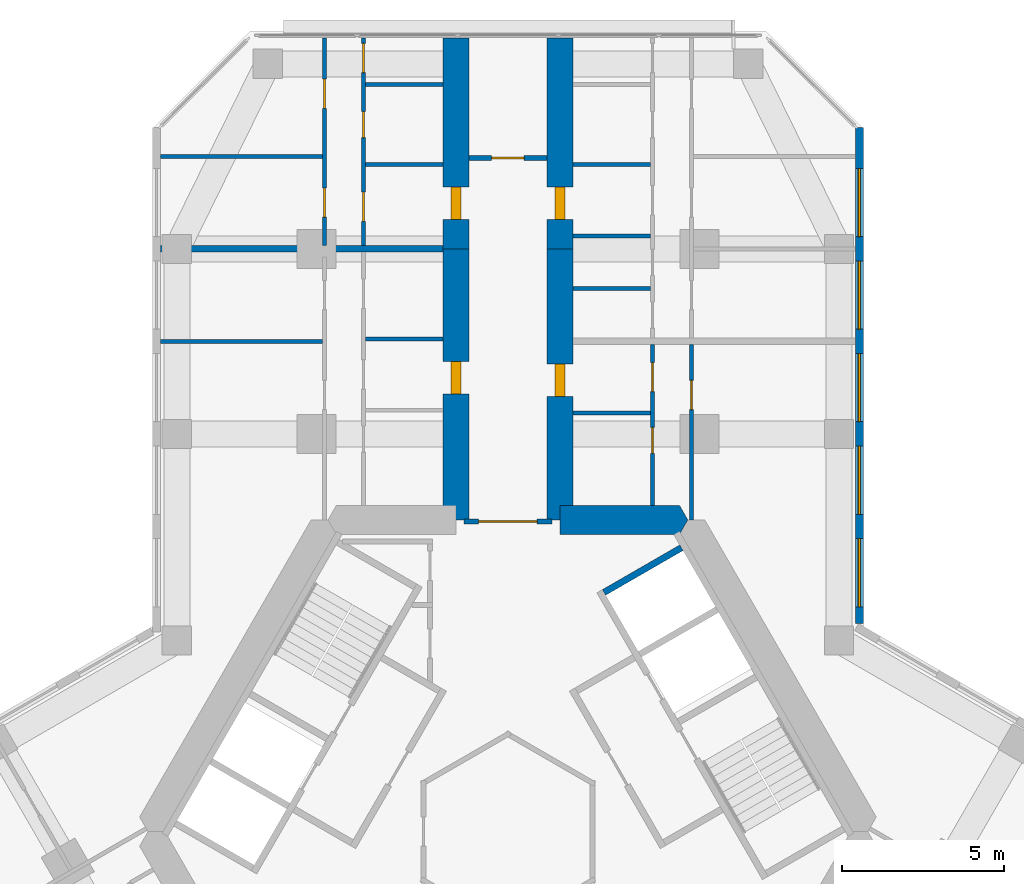
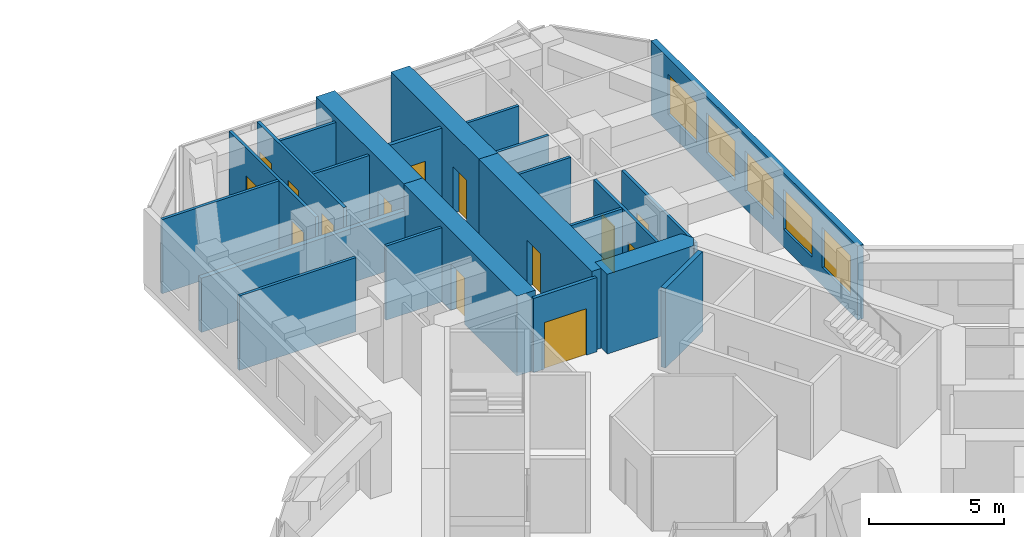
# One storey, part 17 of 19: 23 walls, 14 doors, 5 windows, 19 openings.
"""IFC4 building model written with IfcOpenShell, lengths in metres."""

from ifc_helpers import new_model, si_unit, direction, frame, frame_2d, origin, place, context, subcontext, project, spatial, polyline, rectangle, outline, extrude, material, layer, layer_set, type_object, element, fill, save


model = new_model("IFC4")

# Units and contexts
model_context = context("Model", 3, precision=1e-05, world=origin(), true_north=direction((0.0, 1.0)))
body_context = subcontext(model_context, "Body", "Model", "MODEL_VIEW")
ifc_project = project(units=[si_unit("LENGTHUNIT", "METRE"), si_unit("AREAUNIT", "SQUARE_METRE"), si_unit("VOLUMEUNIT", "CUBIC_METRE"), si_unit("PLANEANGLEUNIT", "RADIAN"), si_unit("MASSUNIT", "GRAM", prefix="KILO")], contexts=[model_context])

# Site, building, storey
site_placement = place(None, origin())
site = spatial("IfcSite", under=ifc_project, at=site_placement, CompositionType="ELEMENT")
building_placement = place(site_placement, origin())
building = spatial("IfcBuilding", under=site, at=building_placement, Name="Kosmar Iwan School Tower", CompositionType="ELEMENT")
storey_placement = place(building_placement, frame((0.0, 0.0, 141.800048828125)))
storey = spatial("IfcBuildingStorey", under=building, at=storey_placement, Name="L35", CompositionType="ELEMENT", Elevation=141.800048828125)

# Wall
ifc_material_1 = material(Name="Concrete C50/60", Category="concrete")
ifc_layer_1 = layer(ifc_material_1, 0.89990234375)
ifc_layer_set_1 = layer_set([ifc_layer_1], Name="Core wall 900")
wall_type_1 = type_object("IfcWallType", Name="Core wall 900", PredefinedType="SHEAR", material=ifc_layer_set_1)
wall_1_placement = place(storey_placement, origin())
element("IfcWall", 1, at=wall_1_placement, inside=storey, type_object=wall_type_1, Name="Core wall F090a", PredefinedType="SHEAR", context=body_context, shape_type="SweptSolid", body=[
    extrude(outline(polyline([(1.60009765625, 9.14990234375), (5.28271484375, 9.14990234375), (5.54248046875, 9.60009765625), (5.28271484375, 10.050048828125), (1.60009765625, 10.050048828125), (1.60009765625, 9.14990234375)])), origin(), (0.0, 0.0, 1.0), 3.599853515625),
])

# Wall, opening, door
ifc_material_2 = material(Name="Concrete C50/60", Category="concrete")
ifc_layer_2 = layer(ifc_material_2, 0.800048828125)
ifc_layer_set_2 = layer_set([ifc_layer_2], Name="Corridor buttress wall 800")
wall_type_2 = type_object("IfcWallType", Name="Corridor buttress wall 800", PredefinedType="SHEAR", material=ifc_layer_set_2)
wall_2_placement = place(storey_placement, frame((-1.60009765625, 9.60009765625, 0.0), z_axis=(0.0, 0.0, 1.0), x_axis=(0.0, 1.0, 0.0)))
wall_2 = element("IfcWall", 2, at=wall_2_placement, inside=storey, type_object=wall_type_2, Name="Corridor wall AL", PredefinedType="SHEAR", context=body_context, shape_type="SweptSolid", body=[
    extrude(rectangle(XDim=8.349853515625, YDim=0.800048828125, at=frame_2d((4.1748046875, 0.0))), origin(), (0.0, 0.0, 1.0), 3.599853515625),
])
opening_1_placement = place(wall_2_placement, frame((3.8798828125, 0.0, 0.0)))
opening_1 = element("IfcOpeningElement", 3, at=opening_1_placement, cuts=wall_2, Name="Opening D1", PredefinedType="OPENING", context=body_context, shape_type="SweptSolid", body=[
    extrude(rectangle(XDim=1.0, YDim=2.10009765625, at=frame_2d((0.5, 1.050048828125))), frame((0.0, 0.412109375, 0.0), z_axis=(0.0, -1.0, 0.0), x_axis=(1.0, 0.0, 0.0)), (0.0, 0.0, 1.0), 0.823974609375),
])
ifc_material_3 = material(Name="Timber fire door in steel frame", Category="steel")
door_type_1 = type_object("IfcDoorType", Name="Flat entrance door 1000x2100", OperationType="SINGLE_SWING_LEFT", PredefinedType="DOOR", material=ifc_material_3)
door_1_placement = place(opening_1_placement, origin())
door_1 = element("IfcDoor", 4, at=door_1_placement, inside=storey, type_object=door_type_1, Name="Flat L35-AL1 entrance door", OperationType="SINGLE_SWING_LEFT", OverallHeight=2.10009765625, OverallWidth=1.0, PredefinedType="DOOR", context=body_context, shape_type="SweptSolid", body=[
    extrude(rectangle(XDim=1.0, YDim=2.10009765625, at=frame_2d((0.5, 1.050048828125))), frame((0.0, 0.14990234375, 0.0), z_axis=(0.0, -1.0, 0.0), x_axis=(1.0, 0.0, 0.0)), (0.0, 0.0, 1.0), 0.300048828125),
])
fill(opening_1, door_1)

wall_3_placement = place(storey_placement, frame((-1.60009765625, 17.949951171875, 0.0), z_axis=(0.0, 0.0, 1.0), x_axis=(0.0, 1.0, 0.0)))
wall_3 = element("IfcWall", 5, at=wall_3_placement, inside=storey, type_object=wall_type_2, Name="Corridor wall AL bay 2", PredefinedType="SHEAR", context=body_context, shape_type="SweptSolid", body=[
    extrude(rectangle(XDim=6.4951171875, YDim=0.800048828125, at=frame_2d((3.24755859375, 0.0))), origin(), (0.0, 0.0, 1.0), 3.599853515625),
])
opening_2_placement = place(wall_3_placement, frame((0.89990234375, 0.0, 0.0)))
opening_2 = element("IfcOpeningElement", 6, at=opening_2_placement, cuts=wall_3, Name="Opening D1", PredefinedType="OPENING", context=body_context, shape_type="SweptSolid", body=[
    extrude(rectangle(XDim=1.0, YDim=2.10009765625, at=frame_2d((0.5, 1.050048828125))), frame((0.0, 0.412109375, 0.0), z_axis=(0.0, -1.0, 0.0), x_axis=(1.0, 0.0, 0.0)), (0.0, 0.0, 1.0), 0.823974609375),
])
door_2_placement = place(opening_2_placement, origin())
door_2 = element("IfcDoor", 7, at=door_2_placement, inside=storey, type_object=door_type_1, Name="Flat L35-AL2 entrance door", OperationType="SINGLE_SWING_RIGHT", OverallHeight=2.10009765625, OverallWidth=1.0, PredefinedType="DOOR", context=body_context, shape_type="SweptSolid", body=[
    extrude(rectangle(XDim=1.0, YDim=2.10009765625, at=frame_2d((0.5, 1.050048828125))), frame((0.0, 0.14990234375, 0.0), z_axis=(0.0, -1.0, 0.0), x_axis=(1.0, 0.0, 0.0)), (0.0, 0.0, 1.0), 0.300048828125),
])
fill(opening_2, door_2)

wall_4_placement = place(storey_placement, frame((1.60009765625, 9.60009765625, 0.0), z_axis=(0.0, 0.0, 1.0), x_axis=(0.0, 1.0, 0.0)))
wall_4 = element("IfcWall", 8, at=wall_4_placement, inside=storey, type_object=wall_type_2, Name="Corridor wall AR", PredefinedType="SHEAR", context=body_context, shape_type="SweptSolid", body=[
    extrude(rectangle(XDim=8.349853515625, YDim=0.800048828125, at=frame_2d((4.1748046875, 0.0))), origin(), (0.0, 0.0, 1.0), 3.599853515625),
])
opening_3_placement = place(wall_4_placement, frame((3.800048828125, 0.0, 0.0)))
opening_3 = element("IfcOpeningElement", 9, at=opening_3_placement, cuts=wall_4, Name="Opening D1", PredefinedType="OPENING", context=body_context, shape_type="SweptSolid", body=[
    extrude(rectangle(XDim=1.0, YDim=2.10009765625, at=frame_2d((0.5, 1.050048828125))), frame((0.0, 0.412109375, 0.0), z_axis=(0.0, -1.0, 0.0), x_axis=(1.0, 0.0, 0.0)), (0.0, 0.0, 1.0), 0.823974609375),
])
door_3_placement = place(opening_3_placement, origin())
door_3 = element("IfcDoor", 10, at=door_3_placement, inside=storey, type_object=door_type_1, Name="Flat L35-AR1 entrance door", OperationType="SINGLE_SWING_RIGHT", OverallHeight=2.10009765625, OverallWidth=1.0, PredefinedType="DOOR", context=body_context, shape_type="SweptSolid", body=[
    extrude(rectangle(XDim=1.0, YDim=2.10009765625, at=frame_2d((0.5, 1.050048828125))), frame((0.0, 0.14990234375, 0.0), z_axis=(0.0, -1.0, 0.0), x_axis=(1.0, 0.0, 0.0)), (0.0, 0.0, 1.0), 0.300048828125),
])
fill(opening_3, door_3)

wall_5_placement = place(storey_placement, frame((1.60009765625, 17.949951171875, 0.0), z_axis=(0.0, 0.0, 1.0), x_axis=(0.0, 1.0, 0.0)))
wall_5 = element("IfcWall", 11, at=wall_5_placement, inside=storey, type_object=wall_type_2, Name="Corridor wall AR bay 2", PredefinedType="SHEAR", context=body_context, shape_type="SweptSolid", body=[
    extrude(rectangle(XDim=6.4951171875, YDim=0.800048828125, at=frame_2d((3.24755859375, 0.0))), origin(), (0.0, 0.0, 1.0), 3.599853515625),
])
opening_4_placement = place(wall_5_placement, frame((0.89990234375, 0.0, 0.0)))
opening_4 = element("IfcOpeningElement", 12, at=opening_4_placement, cuts=wall_5, Name="Opening D1", PredefinedType="OPENING", context=body_context, shape_type="SweptSolid", body=[
    extrude(rectangle(XDim=1.0, YDim=2.10009765625, at=frame_2d((0.5, 1.050048828125))), frame((0.0, 0.412109375, 0.0), z_axis=(0.0, -1.0, 0.0), x_axis=(1.0, 0.0, 0.0)), (0.0, 0.0, 1.0), 0.823974609375),
])
door_4_placement = place(opening_4_placement, origin())
door_4 = element("IfcDoor", 13, at=door_4_placement, inside=storey, type_object=door_type_1, Name="Flat L35-AR2 entrance door", OperationType="SINGLE_SWING_RIGHT", OverallHeight=2.10009765625, OverallWidth=1.0, PredefinedType="DOOR", context=body_context, shape_type="SweptSolid", body=[
    extrude(rectangle(XDim=1.0, YDim=2.10009765625, at=frame_2d((0.5, 1.050048828125))), frame((0.0, 0.14990234375, 0.0), z_axis=(0.0, -1.0, 0.0), x_axis=(1.0, 0.0, 0.0)), (0.0, 0.0, 1.0), 0.300048828125),
])
fill(opening_4, door_4)

ifc_material_4 = material(Name="Gypsum board on steel studs, fire-rated", Category="steel")
ifc_layer_3 = layer(ifc_material_4, 0.14990234375)
ifc_layer_set_3 = layer_set([ifc_layer_3], Name="Corridor end wall 150")
wall_type_3 = type_object("IfcWallType", Name="Corridor end wall 150", PredefinedType="PARTITIONING", material=ifc_layer_set_3)
wall_6_placement = place(storey_placement, frame((1.199951171875, 20.75, 0.0), z_axis=(0.0, 0.0, 1.0), x_axis=(-1.0, 0.0, 0.0)))
wall_6 = element("IfcWall", 14, at=wall_6_placement, inside=storey, type_object=wall_type_3, Name="Partition L35-A-CE", PredefinedType="PARTITIONING", context=body_context, shape_type="SweptSolid", body=[
    extrude(rectangle(XDim=2.39990234375, YDim=0.14990234375, at=frame_2d((1.199951171875, 0.0))), origin(), (0.0, 0.0, 1.0), 3.349853515625),
])
opening_5_placement = place(wall_6_placement, frame((0.699951171875, 0.0, 0.0)))
opening_5 = element("IfcOpeningElement", 15, at=opening_5_placement, cuts=wall_6, Name="Opening D13", PredefinedType="OPENING", context=body_context, shape_type="SweptSolid", body=[
    extrude(rectangle(XDim=1.0, YDim=2.10009765625, at=frame_2d((0.5, 1.050048828125))), frame((0.0, 0.0869140625, 0.0), z_axis=(0.0, -1.0, 0.0), x_axis=(1.0, 0.0, 0.0)), (0.0, 0.0, 1.0), 0.173828125),
])
ifc_material_5 = material(Name="Timber fire door with vision panel", Category="wood")
door_type_2 = type_object("IfcDoorType", Name="Corridor end door 1000x2100", OperationType="SINGLE_SWING_LEFT", PredefinedType="DOOR", material=ifc_material_5)
door_5_placement = place(opening_5_placement, origin())
door_5 = element("IfcDoor", 16, at=door_5_placement, inside=storey, type_object=door_type_2, Name="Prayer room door L35-A", OperationType="SINGLE_SWING_LEFT", OverallHeight=2.10009765625, OverallWidth=1.0, PredefinedType="DOOR", context=body_context, shape_type="SweptSolid", body=[
    extrude(rectangle(XDim=1.0, YDim=2.10009765625, at=frame_2d((0.5, 1.050048828125))), frame((0.0, 0.02490234375, 0.0), z_axis=(0.0, -1.0, 0.0), x_axis=(1.0, 0.0, 0.0)), (0.0, 0.0, 1.0), 0.050048828125),
])
fill(opening_5, door_5)

ifc_material_6 = material(Name="Steel framed glazed screen", Category="steel")
ifc_layer_4 = layer(ifc_material_6, 0.14990234375)
ifc_layer_set_4 = layer_set([ifc_layer_4], Name="Corridor screen wall 150")
wall_type_4 = type_object("IfcWallType", Name="Corridor screen wall 150", PredefinedType="PARTITIONING", material=ifc_layer_set_4)
wall_7_placement = place(storey_placement, frame((1.35009765625, 9.550048828125, 0.0), z_axis=(0.0, 0.0, 1.0), x_axis=(-1.0, 0.0, 0.0)))
wall_7 = element("IfcWall", 17, at=wall_7_placement, inside=storey, type_object=wall_type_4, Name="Corridor screen A L35", PredefinedType="PARTITIONING", context=body_context, shape_type="SweptSolid", body=[
    extrude(rectangle(XDim=2.7001953125, YDim=0.14990234375, at=frame_2d((1.35009765625, 0.0))), origin(), (0.0, 0.0, 1.0), 3.349853515625),
])
opening_6_placement = place(wall_7_placement, frame((0.449951171875, 0.0, 0.0)))
opening_6 = element("IfcOpeningElement", 18, at=opening_6_placement, cuts=wall_7, Name="Opening D9", PredefinedType="OPENING", context=body_context, shape_type="SweptSolid", body=[
    extrude(rectangle(XDim=1.800048828125, YDim=2.10009765625, at=frame_2d((0.89990234375, 1.050048828125))), frame((0.0, 0.0869140625, 0.0), z_axis=(0.0, -1.0, 0.0), x_axis=(1.0, 0.0, 0.0)), (0.0, 0.0, 1.0), 0.173828125),
])
ifc_material_7 = material(Name="Steel framed glazed smoke door", Category="steel")
door_type_3 = type_object("IfcDoorType", Name="Corridor smoke door pair 1800x2100", OperationType="DOUBLE_DOOR_DOUBLE_SWING", PredefinedType="DOOR", material=ifc_material_7)
door_6_placement = place(opening_6_placement, origin())
door_6 = element("IfcDoor", 19, at=door_6_placement, inside=storey, type_object=door_type_3, Name="Corridor doors A L35", OperationType="DOUBLE_DOOR_DOUBLE_SWING", OverallHeight=2.10009765625, OverallWidth=1.800048828125, PredefinedType="DOOR", context=body_context, shape_type="SweptSolid", body=[
    extrude(rectangle(XDim=1.800048828125, YDim=2.10009765625, at=frame_2d((0.89990234375, 1.050048828125))), frame((0.0, 0.02490234375, 0.0), z_axis=(0.0, -1.0, 0.0), x_axis=(1.0, 0.0, 0.0)), (0.0, 0.0, 1.0), 0.050048828125),
])
fill(opening_6, door_6)

# Walls
ifc_material_8 = material(Name="Gypsum board on steel studs", Category="steel")
ifc_layer_5 = layer(ifc_material_8, 0.1201171875)
ifc_layer_set_5 = layer_set([ifc_layer_5], Name="Dwelling partition 120")
wall_type_5 = type_object("IfcWallType", Name="Dwelling partition 120", PredefinedType="PARTITIONING", material=ifc_layer_set_5)
wall_8_placement = place(storey_placement, frame((-5.7099609375, 15.10009765625, 0.0), z_axis=(0.0, 0.0, 1.0), x_axis=(-1.0, 0.0, 0.0)))
element("IfcWall", 20, at=wall_8_placement, inside=storey, type_object=wall_type_5, Name="Partition L35-AL1-X1", PredefinedType="PARTITIONING", context=body_context, shape_type="SweptSolid", body=[
    extrude(rectangle(XDim=4.989990234375, YDim=0.1201171875, at=frame_2d((2.4951171875, 0.0))), origin(), (0.0, 0.0, 1.0), 3.349853515625),
])
wall_9_placement = place(storey_placement, frame((-2.0, 15.179931640625, 0.0), z_axis=(0.0, 0.0, 1.0), x_axis=(-1.0, 0.0, 0.0)))
element("IfcWall", 21, at=wall_9_placement, inside=storey, type_object=wall_type_5, Name="Partition L35-AL1-Y2", PredefinedType="PARTITIONING", context=body_context, shape_type="SweptSolid", body=[
    extrude(rectangle(XDim=2.389892578125, YDim=0.1201171875, at=frame_2d((1.19482421875, 0.0))), origin(), (0.0, 0.0, 1.0), 3.349853515625),
])

# Wall, openings, doors
wall_10_placement = place(storey_placement, frame((-4.449951171875, 18.050048828125, 0.0), z_axis=(0.0, 0.0, 1.0), x_axis=(0.0, 1.0, 0.0)))
wall_10 = element("IfcWall", 22, at=wall_10_placement, inside=storey, type_object=wall_type_5, Name="Partition L35-AL2-W1", PredefinedType="PARTITIONING", context=body_context, shape_type="SweptSolid", body=[
    extrude(rectangle(XDim=6.39501953125, YDim=0.1201171875, at=frame_2d((3.197509765625, 0.0))), origin(), (0.0, 0.0, 1.0), 3.349853515625),
])
opening_7_placement = place(wall_10_placement, frame((0.75, 0.0, 0.0)))
opening_7 = element("IfcOpeningElement", 23, at=opening_7_placement, cuts=wall_10, Name="Opening D2", PredefinedType="OPENING", context=body_context, shape_type="SweptSolid", body=[
    extrude(rectangle(XDim=0.89990234375, YDim=2.10009765625, at=frame_2d((0.449951171875, 1.050048828125))), frame((0.0, 0.072021484375, 0.0), z_axis=(0.0, -1.0, 0.0), x_axis=(1.0, 0.0, 0.0)), (0.0, 0.0, 1.0), 0.14404296875),
])
opening_8_placement = place(wall_10_placement, frame((3.330078125, 0.0, 0.0)))
opening_8 = element("IfcOpeningElement", 24, at=opening_8_placement, cuts=wall_10, Name="Opening D3", PredefinedType="OPENING", context=body_context, shape_type="SweptSolid", body=[
    extrude(rectangle(XDim=0.800048828125, YDim=2.10009765625, at=frame_2d((0.39990234375, 1.050048828125))), frame((0.0, 0.072021484375, 0.0), z_axis=(0.0, -1.0, 0.0), x_axis=(1.0, 0.0, 0.0)), (0.0, 0.0, 1.0), 0.14404296875),
])
opening_9_placement = place(wall_10_placement, frame((5.330078125, 0.0, 0.0)))
opening_9 = element("IfcOpeningElement", 25, at=opening_9_placement, cuts=wall_10, Name="Opening D2", PredefinedType="OPENING", context=body_context, shape_type="SweptSolid", body=[
    extrude(rectangle(XDim=0.89990234375, YDim=2.10009765625, at=frame_2d((0.449951171875, 1.050048828125))), frame((0.0, 0.072021484375, 0.0), z_axis=(0.0, -1.0, 0.0), x_axis=(1.0, 0.0, 0.0)), (0.0, 0.0, 1.0), 0.14404296875),
])
ifc_material_9 = material(Name="Timber door in timber frame", Category="wood")
door_type_4 = type_object("IfcDoorType", Name="Internal door 900x2100", OperationType="SINGLE_SWING_LEFT", PredefinedType="DOOR", material=ifc_material_9)
door_7_placement = place(opening_7_placement, origin())
door_7 = element("IfcDoor", 26, at=door_7_placement, inside=storey, type_object=door_type_4, Name="Entrance hall door L35-AL2-S1", OperationType="SINGLE_SWING_LEFT", OverallHeight=2.10009765625, OverallWidth=0.89990234375, PredefinedType="DOOR", context=body_context, shape_type="SweptSolid", body=[
    extrude(rectangle(XDim=0.89990234375, YDim=2.10009765625, at=frame_2d((0.449951171875, 1.050048828125))), frame((0.0, 0.02490234375, 0.0), z_axis=(0.0, -1.0, 0.0), x_axis=(1.0, 0.0, 0.0)), (0.0, 0.0, 1.0), 0.050048828125),
])
fill(opening_7, door_7)
door_8_placement = place(opening_9_placement, origin())
door_8 = element("IfcDoor", 27, at=door_8_placement, inside=storey, type_object=door_type_4, Name="Pantry door L35-AL2-S3", OperationType="SINGLE_SWING_RIGHT", OverallHeight=2.10009765625, OverallWidth=0.89990234375, PredefinedType="DOOR", context=body_context, shape_type="SweptSolid", body=[
    extrude(rectangle(XDim=0.89990234375, YDim=2.10009765625, at=frame_2d((0.449951171875, 1.050048828125))), frame((0.0, 0.02490234375, 0.0), z_axis=(0.0, -1.0, 0.0), x_axis=(1.0, 0.0, 0.0)), (0.0, 0.0, 1.0), 0.050048828125),
])
fill(opening_9, door_8)
ifc_material_10 = material(Name="Timber door in timber frame", Category="wood")
door_type_5 = type_object("IfcDoorType", Name="Sanitary room door 800x2100", OperationType="SINGLE_SWING_LEFT", PredefinedType="DOOR", material=ifc_material_10)
door_9_placement = place(opening_8_placement, origin())
door_9 = element("IfcDoor", 28, at=door_9_placement, inside=storey, type_object=door_type_5, Name="Bathroom door L35-AL2-S2", OperationType="SINGLE_SWING_RIGHT", OverallHeight=2.10009765625, OverallWidth=0.800048828125, PredefinedType="DOOR", context=body_context, shape_type="SweptSolid", body=[
    extrude(rectangle(XDim=0.800048828125, YDim=2.10009765625, at=frame_2d((0.39990234375, 1.050048828125))), frame((0.0, 0.02490234375, 0.0), z_axis=(0.0, -1.0, 0.0), x_axis=(1.0, 0.0, 0.0)), (0.0, 0.0, 1.0), 0.050048828125),
])
fill(opening_8, door_9)

wall_11_placement = place(storey_placement, frame((-5.64990234375, 18.050048828125, 0.0), z_axis=(0.0, 0.0, 1.0), x_axis=(0.0, 1.0, 0.0)))
wall_11 = element("IfcWall", 29, at=wall_11_placement, inside=storey, type_object=wall_type_5, Name="Partition L35-AL2-W2", PredefinedType="PARTITIONING", context=body_context, shape_type="SweptSolid", body=[
    extrude(rectangle(XDim=6.39501953125, YDim=0.1201171875, at=frame_2d((3.197509765625, 0.0))), origin(), (0.0, 0.0, 1.0), 3.349853515625),
])
opening_10_placement = place(wall_11_placement, frame((0.875, 0.0, 0.0)))
opening_10 = element("IfcOpeningElement", 30, at=opening_10_placement, cuts=wall_11, Name="Opening D2", PredefinedType="OPENING", context=body_context, shape_type="SweptSolid", body=[
    extrude(rectangle(XDim=0.89990234375, YDim=2.10009765625, at=frame_2d((0.449951171875, 1.050048828125))), frame((0.0, 0.072021484375, 0.0), z_axis=(0.0, -1.0, 0.0), x_axis=(1.0, 0.0, 0.0)), (0.0, 0.0, 1.0), 0.14404296875),
])
opening_11_placement = place(wall_11_placement, frame((4.22509765625, 0.0, 0.0)))
opening_11 = element("IfcOpeningElement", 31, at=opening_11_placement, cuts=wall_11, Name="Opening D2", PredefinedType="OPENING", context=body_context, shape_type="SweptSolid", body=[
    extrude(rectangle(XDim=0.89990234375, YDim=2.10009765625, at=frame_2d((0.449951171875, 1.050048828125))), frame((0.0, 0.072021484375, 0.0), z_axis=(0.0, -1.0, 0.0), x_axis=(1.0, 0.0, 0.0)), (0.0, 0.0, 1.0), 0.14404296875),
])
door_10_placement = place(opening_10_placement, origin())
door_10 = element("IfcDoor", 32, at=door_10_placement, inside=storey, type_object=door_type_4, Name="Family room and kitchen door L35-AL2-F1", OperationType="SINGLE_SWING_RIGHT", OverallHeight=2.10009765625, OverallWidth=0.89990234375, PredefinedType="DOOR", context=body_context, shape_type="SweptSolid", body=[
    extrude(rectangle(XDim=0.89990234375, YDim=2.10009765625, at=frame_2d((0.449951171875, 1.050048828125))), frame((0.0, 0.02490234375, 0.0), z_axis=(0.0, -1.0, 0.0), x_axis=(1.0, 0.0, 0.0)), (0.0, 0.0, 1.0), 0.050048828125),
])
fill(opening_10, door_10)
door_11_placement = place(opening_11_placement, origin())
door_11 = element("IfcDoor", 33, at=door_11_placement, inside=storey, type_object=door_type_4, Name="Bedroom 1 door L35-AL2-F2", OperationType="SINGLE_SWING_RIGHT", OverallHeight=2.10009765625, OverallWidth=0.89990234375, PredefinedType="DOOR", context=body_context, shape_type="SweptSolid", body=[
    extrude(rectangle(XDim=0.89990234375, YDim=2.10009765625, at=frame_2d((0.449951171875, 1.050048828125))), frame((0.0, 0.02490234375, 0.0), z_axis=(0.0, -1.0, 0.0), x_axis=(1.0, 0.0, 0.0)), (0.0, 0.0, 1.0), 0.050048828125),
])
fill(opening_11, door_11)

# Walls
wall_12_placement = place(storey_placement, frame((-5.7099609375, 20.800048828125, 0.0), z_axis=(0.0, 0.0, 1.0), x_axis=(-1.0, 0.0, 0.0)))
element("IfcWall", 34, at=wall_12_placement, inside=storey, type_object=wall_type_5, Name="Partition L35-AL2-X1", PredefinedType="PARTITIONING", context=body_context, shape_type="SweptSolid", body=[
    extrude(rectangle(XDim=4.989990234375, YDim=0.1201171875, at=frame_2d((2.4951171875, 0.0))), origin(), (0.0, 0.0, 1.0), 3.349853515625),
])
for number, where, z_axis, x_axis, name in (
    (35, (-2.0, 20.550048828125, 0.0), (0.0, 0.0, 1.0), (-1.0, 0.0, 0.0), "Partition L35-AL2-Y1"),
    (36, (-2.0, 23.010009765625, 0.0), (0.0, 0.0, 1.0), (-1.0, 0.0, 0.0), "Partition L35-AL2-Y2"),
):
    element("IfcWall", number, at=place(storey_placement, frame(where, z_axis=z_axis, x_axis=x_axis)), inside=storey, type_object=wall_type_5, Name=name, PredefinedType="PARTITIONING", context=body_context, shape_type="SweptSolid", body=[
        extrude(rectangle(XDim=2.389892578125, YDim=0.1201171875, at=frame_2d((1.19482421875, 0.0))), origin(), (0.0, 0.0, 1.0), 3.349853515625),
    ])

# Wall, openings, doors
wall_13_placement = place(storey_placement, frame((4.449951171875, 10.050048828125, 0.0), z_axis=(0.0, 0.0, 1.0), x_axis=(0.0, 1.0, 0.0)))
wall_13 = element("IfcWall", 37, at=wall_13_placement, inside=storey, type_object=wall_type_5, Name="Partition L35-AR1-W1", PredefinedType="PARTITIONING", context=body_context, shape_type="SweptSolid", body=[
    extrude(rectangle(XDim=4.949951171875, YDim=0.1201171875, at=frame_2d((2.47509765625, 0.0))), origin(), (0.0, 0.0, 1.0), 3.349853515625),
])
opening_12_placement = place(wall_13_placement, frame((1.60009765625, 0.0, 0.0)))
opening_12 = element("IfcOpeningElement", 38, at=opening_12_placement, cuts=wall_13, Name="Opening D3", PredefinedType="OPENING", context=body_context, shape_type="SweptSolid", body=[
    extrude(rectangle(XDim=0.800048828125, YDim=2.10009765625, at=frame_2d((0.39990234375, 1.050048828125))), frame((0.0, 0.072021484375, 0.0), z_axis=(0.0, -1.0, 0.0), x_axis=(1.0, 0.0, 0.0)), (0.0, 0.0, 1.0), 0.14404296875),
])
opening_13_placement = place(wall_13_placement, frame((3.5, 0.0, 0.0)))
opening_13 = element("IfcOpeningElement", 39, at=opening_13_placement, cuts=wall_13, Name="Opening D2", PredefinedType="OPENING", context=body_context, shape_type="SweptSolid", body=[
    extrude(rectangle(XDim=0.89990234375, YDim=2.10009765625, at=frame_2d((0.449951171875, 1.050048828125))), frame((0.0, 0.072021484375, 0.0), z_axis=(0.0, -1.0, 0.0), x_axis=(1.0, 0.0, 0.0)), (0.0, 0.0, 1.0), 0.14404296875),
])
door_12_placement = place(opening_13_placement, origin())
door_12 = element("IfcDoor", 40, at=door_12_placement, inside=storey, type_object=door_type_4, Name="Entrance hall door L35-AR1-S2", OperationType="SINGLE_SWING_RIGHT", OverallHeight=2.10009765625, OverallWidth=0.89990234375, PredefinedType="DOOR", context=body_context, shape_type="SweptSolid", body=[
    extrude(rectangle(XDim=0.89990234375, YDim=2.10009765625, at=frame_2d((0.449951171875, 1.050048828125))), frame((0.0, 0.02490234375, 0.0), z_axis=(0.0, -1.0, 0.0), x_axis=(1.0, 0.0, 0.0)), (0.0, 0.0, 1.0), 0.050048828125),
])
fill(opening_13, door_12)
door_13_placement = place(opening_12_placement, origin())
door_13 = element("IfcDoor", 41, at=door_13_placement, inside=storey, type_object=door_type_5, Name="Bathroom door L35-AR1-S1", OperationType="SINGLE_SWING_RIGHT", OverallHeight=2.10009765625, OverallWidth=0.800048828125, PredefinedType="DOOR", context=body_context, shape_type="SweptSolid", body=[
    extrude(rectangle(XDim=0.800048828125, YDim=2.10009765625, at=frame_2d((0.39990234375, 1.050048828125))), frame((0.0, 0.02490234375, 0.0), z_axis=(0.0, -1.0, 0.0), x_axis=(1.0, 0.0, 0.0)), (0.0, 0.0, 1.0), 0.050048828125),
])
fill(opening_12, door_13)

# Wall, opening, door
wall_14_placement = place(storey_placement, frame((5.64990234375, 9.60009765625, 0.0), z_axis=(0.0, 0.0, 1.0), x_axis=(0.0, 1.0, 0.0)))
wall_14 = element("IfcWall", 42, at=wall_14_placement, inside=storey, type_object=wall_type_5, Name="Partition L35-AR1-W2", PredefinedType="PARTITIONING", context=body_context, shape_type="SweptSolid", body=[
    extrude(rectangle(XDim=5.39990234375, YDim=0.1201171875, at=frame_2d((2.699951171875, 0.0))), origin(), (0.0, 0.0, 1.0), 3.349853515625),
])
opening_14_placement = place(wall_14_placement, frame((3.39990234375, 0.0, 0.0)))
opening_14 = element("IfcOpeningElement", 43, at=opening_14_placement, cuts=wall_14, Name="Opening D2", PredefinedType="OPENING", context=body_context, shape_type="SweptSolid", body=[
    extrude(rectangle(XDim=0.89990234375, YDim=2.10009765625, at=frame_2d((0.449951171875, 1.050048828125))), frame((0.0, 0.072021484375, 0.0), z_axis=(0.0, -1.0, 0.0), x_axis=(1.0, 0.0, 0.0)), (0.0, 0.0, 1.0), 0.14404296875),
])
door_14_placement = place(opening_14_placement, origin())
door_14 = element("IfcDoor", 44, at=door_14_placement, inside=storey, type_object=door_type_4, Name="Studio living room and kitchen door L35-AR1-F1", OperationType="SINGLE_SWING_RIGHT", OverallHeight=2.10009765625, OverallWidth=0.89990234375, PredefinedType="DOOR", context=body_context, shape_type="SweptSolid", body=[
    extrude(rectangle(XDim=0.89990234375, YDim=2.10009765625, at=frame_2d((0.449951171875, 1.050048828125))), frame((0.0, 0.02490234375, 0.0), z_axis=(0.0, -1.0, 0.0), x_axis=(1.0, 0.0, 0.0)), (0.0, 0.0, 1.0), 0.050048828125),
])
fill(opening_14, door_14)

# Walls
for number, where, z_axis, x_axis, name in (
    (45, (2.0, 12.89990234375, 0.0), (0.0, 0.0, 1.0), (1.0, 0.0, 0.0), "Partition L35-AR1-Y1"),
    (46, (2.0, 16.72509765625, 0.0), (0.0, 0.0, 1.0), (1.0, 0.0, 0.0), "Partition L35-AR2-Y1"),
    (47, (2.0, 18.35009765625, 0.0), (0.0, 0.0, 1.0), (1.0, 0.0, 0.0), "Partition L35-AR2-Y2"),
    (48, (2.0, 20.550048828125, 0.0), (0.0, 0.0, 1.0), (1.0, 0.0, 0.0), "Partition L35-AR2-Y3"),
):
    element("IfcWall", number, at=place(storey_placement, frame(where, z_axis=z_axis, x_axis=x_axis)), inside=storey, type_object=wall_type_5, Name=name, PredefinedType="PARTITIONING", context=body_context, shape_type="SweptSolid", body=[
        extrude(rectangle(XDim=2.389892578125, YDim=0.1201171875, at=frame_2d((1.19482421875, 0.0))), origin(), (0.0, 0.0, 1.0), 3.349853515625),
    ])

# Wall, openings, windows
ifc_material_11 = material(Name="Black aluminium rainscreen on insulated framing", Category="aluminium")
ifc_layer_6 = layer(ifc_material_11, 0.25)
ifc_layer_set_6 = layer_set([ifc_layer_6], Name="External wall rainscreen 250")
wall_type_6 = type_object("IfcWallType", Name="External wall rainscreen 250", PredefinedType="SOLIDWALL", material=ifc_layer_set_6)
wall_15_placement = place(storey_placement, frame((10.824951171875, 6.408935546875, 0.0), z_axis=(0.0, 0.0, 1.0), x_axis=(0.0, 1.0, 0.0)))
wall_15 = element("IfcWall", 49, at=wall_15_placement, inside=storey, type_object=wall_type_6, Name="External wall AR L35", PredefinedType="SOLIDWALL", context=body_context, shape_type="SweptSolid", body=[
    extrude(rectangle(XDim=15.2763671875, YDim=0.25, at=frame_2d((7.63818359375, 0.0))), origin(), (0.0, 0.0, 1.0), 3.349853515625),
])
opening_15_placement = place(wall_15_placement, frame((0.51611328125, 0.0, 0.800048828125)))
opening_15 = element("IfcOpeningElement", 50, at=opening_15_placement, cuts=wall_15, Name="Opening W4", PredefinedType="OPENING", context=body_context, shape_type="SweptSolid", body=[
    extrude(rectangle(XDim=2.10009765625, YDim=1.800048828125, at=frame_2d((1.050048828125, 0.89990234375))), frame((0.0, 0.136962890625, 0.0), z_axis=(0.0, -1.0, 0.0), x_axis=(1.0, 0.0, 0.0)), (0.0, 0.0, 1.0), 0.27392578125),
])
opening_16_placement = place(wall_15_placement, frame((3.365966796875, 0.0, 0.800048828125)))
opening_16 = element("IfcOpeningElement", 51, at=opening_16_placement, cuts=wall_15, Name="Opening W4", PredefinedType="OPENING", context=body_context, shape_type="SweptSolid", body=[
    extrude(rectangle(XDim=2.10009765625, YDim=1.800048828125, at=frame_2d((1.050048828125, 0.89990234375))), frame((0.0, 0.136962890625, 0.0), z_axis=(0.0, -1.0, 0.0), x_axis=(1.0, 0.0, 0.0)), (0.0, 0.0, 1.0), 0.27392578125),
])
opening_17_placement = place(wall_15_placement, frame((6.216064453125, 0.0, 0.800048828125)))
opening_17 = element("IfcOpeningElement", 52, at=opening_17_placement, cuts=wall_15, Name="Opening W4", PredefinedType="OPENING", context=body_context, shape_type="SweptSolid", body=[
    extrude(rectangle(XDim=2.10009765625, YDim=1.800048828125, at=frame_2d((1.050048828125, 0.89990234375))), frame((0.0, 0.136962890625, 0.0), z_axis=(0.0, -1.0, 0.0), x_axis=(1.0, 0.0, 0.0)), (0.0, 0.0, 1.0), 0.27392578125),
])
opening_18_placement = place(wall_15_placement, frame((9.06591796875, 0.0, 0.800048828125)))
opening_18 = element("IfcOpeningElement", 53, at=opening_18_placement, cuts=wall_15, Name="Opening W4", PredefinedType="OPENING", context=body_context, shape_type="SweptSolid", body=[
    extrude(rectangle(XDim=2.10009765625, YDim=1.800048828125, at=frame_2d((1.050048828125, 0.89990234375))), frame((0.0, 0.136962890625, 0.0), z_axis=(0.0, -1.0, 0.0), x_axis=(1.0, 0.0, 0.0)), (0.0, 0.0, 1.0), 0.27392578125),
])
opening_19_placement = place(wall_15_placement, frame((11.916015625, 0.0, 0.800048828125)))
opening_19 = element("IfcOpeningElement", 54, at=opening_19_placement, cuts=wall_15, Name="Opening W4", PredefinedType="OPENING", context=body_context, shape_type="SweptSolid", body=[
    extrude(rectangle(XDim=2.10009765625, YDim=1.800048828125, at=frame_2d((1.050048828125, 0.89990234375))), frame((0.0, 0.136962890625, 0.0), z_axis=(0.0, -1.0, 0.0), x_axis=(1.0, 0.0, 0.0)), (0.0, 0.0, 1.0), 0.27392578125),
])
ifc_material_12 = material(Name="Black aluminium frame with dark triple glazing", Category="aluminium")
window_type = type_object("IfcWindowType", Name="Window 2100x1800", PartitioningType="SINGLE_PANEL", PredefinedType="WINDOW", material=ifc_material_12)
window_1_placement = place(opening_15_placement, origin())
window_1 = element("IfcWindow", 55, at=window_1_placement, inside=storey, type_object=window_type, Name="Window AR L35 -1", OverallHeight=1.800048828125, OverallWidth=2.10009765625, PartitioningType="SINGLE_PANEL", PredefinedType="WINDOW", context=body_context, shape_type="SweptSolid", body=[
    extrude(rectangle(XDim=2.10009765625, YDim=1.800048828125, at=frame_2d((1.050048828125, 0.89990234375))), frame((0.0, 0.030029296875, 0.0), z_axis=(0.0, -1.0, 0.0), x_axis=(1.0, 0.0, 0.0)), (0.0, 0.0, 1.0), 0.06005859375),
])
fill(opening_15, window_1)
window_2_placement = place(opening_16_placement, origin())
window_2 = element("IfcWindow", 56, at=window_2_placement, inside=storey, type_object=window_type, Name="Window AR L35 0", OverallHeight=1.800048828125, OverallWidth=2.10009765625, PartitioningType="SINGLE_PANEL", PredefinedType="WINDOW", context=body_context, shape_type="SweptSolid", body=[
    extrude(rectangle(XDim=2.10009765625, YDim=1.800048828125, at=frame_2d((1.050048828125, 0.89990234375))), frame((0.0, 0.030029296875, 0.0), z_axis=(0.0, -1.0, 0.0), x_axis=(1.0, 0.0, 0.0)), (0.0, 0.0, 1.0), 0.06005859375),
])
fill(opening_16, window_2)
window_3_placement = place(opening_17_placement, origin())
window_3 = element("IfcWindow", 57, at=window_3_placement, inside=storey, type_object=window_type, Name="Window AR L35 1", OverallHeight=1.800048828125, OverallWidth=2.10009765625, PartitioningType="SINGLE_PANEL", PredefinedType="WINDOW", context=body_context, shape_type="SweptSolid", body=[
    extrude(rectangle(XDim=2.10009765625, YDim=1.800048828125, at=frame_2d((1.050048828125, 0.89990234375))), frame((0.0, 0.030029296875, 0.0), z_axis=(0.0, -1.0, 0.0), x_axis=(1.0, 0.0, 0.0)), (0.0, 0.0, 1.0), 0.06005859375),
])
fill(opening_17, window_3)
window_4_placement = place(opening_18_placement, origin())
window_4 = element("IfcWindow", 58, at=window_4_placement, inside=storey, type_object=window_type, Name="Window AR L35 2", OverallHeight=1.800048828125, OverallWidth=2.10009765625, PartitioningType="SINGLE_PANEL", PredefinedType="WINDOW", context=body_context, shape_type="SweptSolid", body=[
    extrude(rectangle(XDim=2.10009765625, YDim=1.800048828125, at=frame_2d((1.050048828125, 0.89990234375))), frame((0.0, 0.030029296875, 0.0), z_axis=(0.0, -1.0, 0.0), x_axis=(1.0, 0.0, 0.0)), (0.0, 0.0, 1.0), 0.06005859375),
])
fill(opening_18, window_4)
window_5_placement = place(opening_19_placement, origin())
window_5 = element("IfcWindow", 59, at=window_5_placement, inside=storey, type_object=window_type, Name="Window AR L35 3", OverallHeight=1.800048828125, OverallWidth=2.10009765625, PartitioningType="SINGLE_PANEL", PredefinedType="WINDOW", context=body_context, shape_type="SweptSolid", body=[
    extrude(rectangle(XDim=2.10009765625, YDim=1.800048828125, at=frame_2d((1.050048828125, 0.89990234375))), frame((0.0, 0.030029296875, 0.0), z_axis=(0.0, -1.0, 0.0), x_axis=(1.0, 0.0, 0.0)), (0.0, 0.0, 1.0), 0.06005859375),
])
fill(opening_19, window_5)

# Walls
ifc_material_13 = material(Name="Concrete C50/60", Category="concrete")
ifc_layer_7 = layer(ifc_material_13, 0.199951171875)
ifc_layer_set_7 = layer_set([ifc_layer_7], Name="Lift shaft wall 200")
wall_type_7 = type_object("IfcWallType", Name="Lift shaft wall 200", PredefinedType="SHEAR", material=ifc_layer_set_7)
wall_16_placement = place(storey_placement, frame((2.962646484375, 7.368408203125, 0.0), z_axis=(0.0, 0.0, 1.0), x_axis=(0.866027397988, 0.499996545922, 0.0)))
element("IfcWall", 60, at=wall_16_placement, inside=storey, type_object=wall_type_7, Name="Lift shaft wall AC 2", PredefinedType="SHEAR", context=body_context, shape_type="SweptSolid", body=[
    extrude(rectangle(XDim=2.75, YDim=0.199951171875, at=frame_2d((1.375, 0.0))), origin(), (0.0, 0.0, 1.0), 3.599853515625),
])
ifc_material_14 = material(Name="Concrete block masonry", Category="masonry")
ifc_layer_8 = layer(ifc_material_14, 0.199951171875)
ifc_layer_set_8 = layer_set([ifc_layer_8], Name="Party wall 200")
wall_type_8 = type_object("IfcWallType", Name="Party wall 200", PredefinedType="PARTITIONING", material=ifc_layer_set_8)
wall_17_placement = place(storey_placement, frame((-2.0, 17.949951171875, 0.0), z_axis=(0.0, 0.0, 1.0), x_axis=(-1.0, 0.0, 0.0)))
element("IfcWall", 61, at=wall_17_placement, inside=storey, type_object=wall_type_8, Name="Partition L35-AL2-PW", PredefinedType="PARTITIONING", context=body_context, shape_type="SweptSolid", body=[
    extrude(rectangle(XDim=8.699951171875, YDim=0.199951171875, at=frame_2d((4.35009765625, 0.0))), origin(), (0.0, 0.0, 1.0), 2.449951171875),
])

save(model, "model.ifc")
